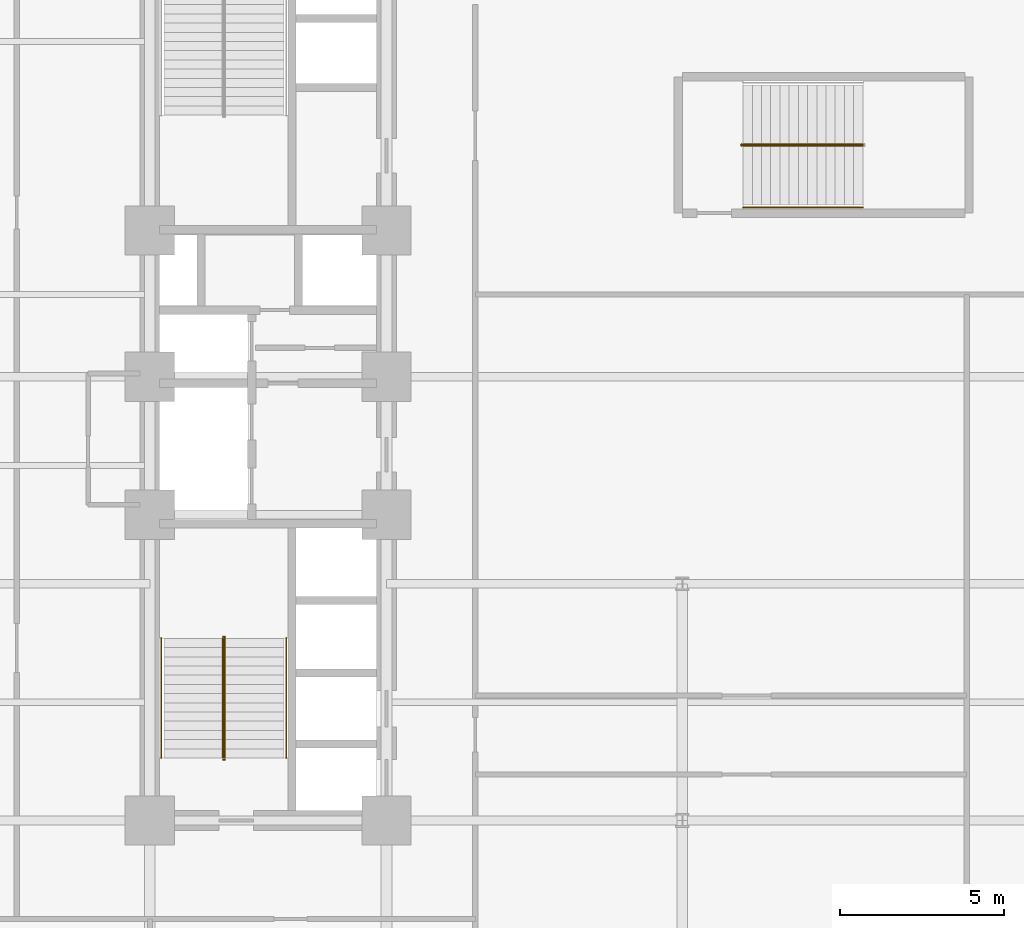
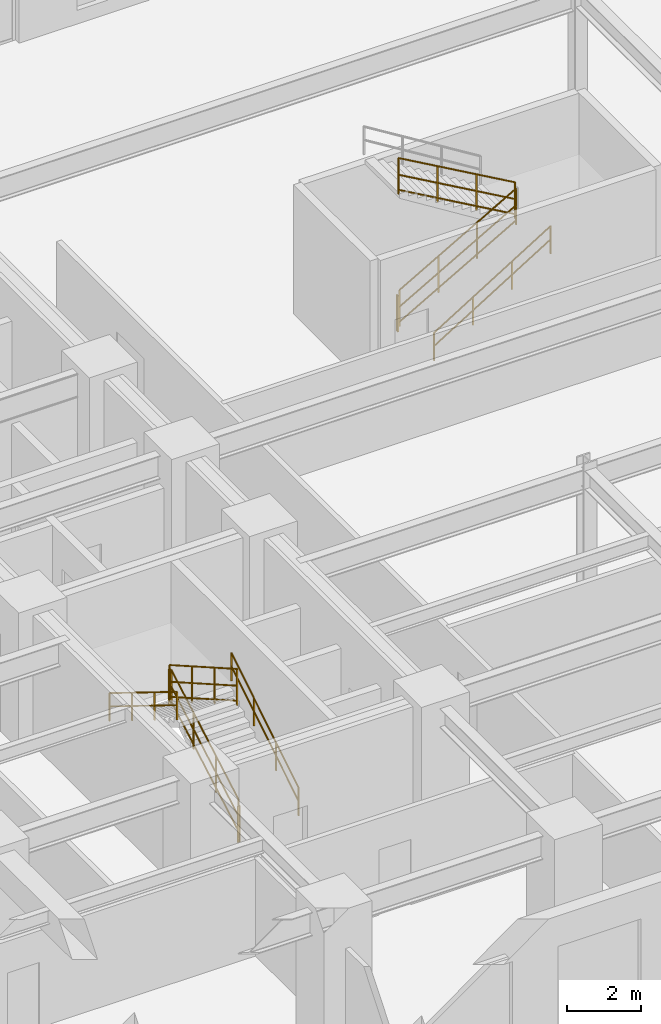
# One storey, part 12 of 15: 10 railings.
"""IFC4 building model written with IfcOpenShell, lengths in metres."""

from ifc_helpers import new_model, entity, si_unit, converted_unit, direction, frame, origin_with_axes, origin_2d_with_axis, place, context, subcontext, project, spatial, rectangle, circle, extrude, material, type_object, element, save


model = new_model("IFC4")

# Units and contexts
model_context = context("Model", 3, precision=1e-05, world=origin_with_axes(), true_north=direction((0.0, 1.0)))
body_context = subcontext(model_context, "Body", "Model", "MODEL_VIEW")
ifc_project = project(units=[si_unit("LENGTHUNIT", "METRE"), si_unit("AREAUNIT", "SQUARE_METRE"), si_unit("VOLUMEUNIT", "CUBIC_METRE"), converted_unit("PLANEANGLEUNIT", "DEGREE", entity("IfcPlaneAngleMeasure", 0.017453292519943295), si_unit("PLANEANGLEUNIT", "RADIAN"), dimensions=[0, 0, 0, 0, 0, 0, 0]), si_unit("MASSUNIT", "GRAM", prefix="KILO"), si_unit("THERMODYNAMICTEMPERATUREUNIT", "KELVIN")], contexts=[model_context])

# Site, building, storey
site_placement = place(None, origin_with_axes())
site = spatial("IfcSite", under=ifc_project, at=site_placement, CompositionType="ELEMENT")
building_placement = place(site_placement, origin_with_axes())
building = spatial("IfcBuilding", under=site, at=building_placement, Name="Varnlund Millrace Tower", CompositionType="ELEMENT")
storey_placement = place(building_placement, frame((0.0, 0.0, 19.8), z_axis=(0.0, 0.0, 1.0), x_axis=(1.0, 0.0, 0.0)))
storey = spatial("IfcBuildingStorey", under=building, at=storey_placement, Name="L04", CompositionType="ELEMENT", Elevation=19.8)

# Railings
ifc_material_1 = material(Name="Painted steel stair well balustrade guard", Category="steel")
railing_type_1 = type_object("IfcRailingType", Name="Type-StairGuard-1150", PredefinedType="GUARDRAIL", material=ifc_material_1)
railing_1_placement = place(storey_placement, frame((0.0, 0.0, -19.8), z_axis=(0.0, 0.0, 1.0), x_axis=(1.0, 0.0, 0.0)))
element("IfcRailing", 1, at=railing_1_placement, inside=storey, type_object=railing_type_1, Name="Type-StairGuard-1150", PredefinedType="GUARDRAIL", context=body_context, shape_type="SweptSolid", body=[
    extrude(circle(Radius=0.024, at=origin_2d_with_axis()), frame((13.675, 12.7, 21.123077), z_axis=(0.0, 0.868559, 0.495585), x_axis=(-1.0, 0.0, 0.0)), (0.0, 0.0, 1.0), 4.190848),
    extrude(circle(Radius=0.024, at=origin_2d_with_axis()), frame((13.675, 12.7, 20.073077), z_axis=(0.0, 0.868559, 0.495585), x_axis=(-1.0, 0.0, 0.0)), (0.0, 0.0, 1.0), 4.190848),
    extrude(circle(Radius=0.024, at=origin_2d_with_axis()), frame((13.675, 12.7, 20.571077), z_axis=(0.0, 0.868559, 0.495585), x_axis=(-1.0, 0.0, 0.0)), (0.0, 0.0, 1.0), 4.190848),
    extrude(rectangle(XDim=0.04, YDim=0.04, at=origin_2d_with_axis()), frame((13.675, 12.7, 19.933077), z_axis=(0.0, 0.0, 1.0), x_axis=(1.0, 0.0, 0.0)), (0.0, 0.0, 1.0), 1.19),
    extrude(rectangle(XDim=0.04, YDim=0.04, at=origin_2d_with_axis()), frame((13.675, 13.913333, 20.625385), z_axis=(0.0, 0.0, 1.0), x_axis=(1.0, 0.0, 0.0)), (0.0, 0.0, 1.0), 1.19),
    extrude(rectangle(XDim=0.04, YDim=0.04, at=origin_2d_with_axis()), frame((13.675, 15.126667, 21.317692), z_axis=(0.0, 0.0, 1.0), x_axis=(1.0, 0.0, 0.0)), (0.0, 0.0, 1.0), 1.19),
    extrude(rectangle(XDim=0.04, YDim=0.04, at=origin_2d_with_axis()), frame((13.675, 16.34, 22.01), z_axis=(0.0, 0.0, 1.0), x_axis=(1.0, 0.0, 0.0)), (0.0, 0.0, 1.0), 1.19),
])
railing_2_placement = place(storey_placement, frame((0.0, 0.0, -19.8), z_axis=(0.0, 0.0, 1.0), x_axis=(1.0, 0.0, 0.0)))
element("IfcRailing", 2, at=railing_2_placement, inside=storey, type_object=railing_type_1, Name="Type-StairGuard-1150", PredefinedType="GUARDRAIL", context=body_context, shape_type="SweptSolid", body=[
    extrude(circle(Radius=0.024, at=origin_2d_with_axis()), frame((13.625, 16.39, 23.2), z_axis=(1.0, 0.0, 0.0), x_axis=(0.0, 1.0, 0.0)), (0.0, 0.0, 1.0), 0.05),
    extrude(circle(Radius=0.024, at=origin_2d_with_axis()), frame((13.625, 16.39, 22.15), z_axis=(1.0, 0.0, 0.0), x_axis=(0.0, 1.0, 0.0)), (0.0, 0.0, 1.0), 0.05),
    extrude(circle(Radius=0.024, at=origin_2d_with_axis()), frame((13.625, 16.39, 22.648), z_axis=(1.0, 0.0, 0.0), x_axis=(0.0, 1.0, 0.0)), (0.0, 0.0, 1.0), 0.05),
    extrude(rectangle(XDim=0.04, YDim=0.04, at=origin_2d_with_axis()), frame((13.625, 16.39, 22.01), z_axis=(0.0, 0.0, 1.0), x_axis=(1.0, 0.0, 0.0)), (0.0, 0.0, 1.0), 1.19),
    extrude(rectangle(XDim=0.04, YDim=0.04, at=origin_2d_with_axis()), frame((13.675, 16.39, 22.01), z_axis=(0.0, 0.0, 1.0), x_axis=(1.0, 0.0, 0.0)), (0.0, 0.0, 1.0), 1.19),
])
railing_3_placement = place(storey_placement, frame((0.0, 0.0, -19.8), z_axis=(0.0, 0.0, 1.0), x_axis=(1.0, 0.0, 0.0)))
element("IfcRailing", 3, at=railing_3_placement, inside=storey, type_object=railing_type_1, Name="Type-StairGuard-1150", PredefinedType="GUARDRAIL", context=body_context, shape_type="SweptSolid", body=[
    extrude(circle(Radius=0.024, at=origin_2d_with_axis()), frame((13.625, 16.34, 23.373077), z_axis=(0.0, -0.868559, 0.495585), x_axis=(1.0, 0.0, 0.0)), (0.0, 0.0, 1.0), 4.190848),
    extrude(circle(Radius=0.024, at=origin_2d_with_axis()), frame((13.625, 16.34, 22.323077), z_axis=(0.0, -0.868559, 0.495585), x_axis=(1.0, 0.0, 0.0)), (0.0, 0.0, 1.0), 4.190848),
    extrude(circle(Radius=0.024, at=origin_2d_with_axis()), frame((13.625, 16.34, 22.821077), z_axis=(0.0, -0.868559, 0.495585), x_axis=(1.0, 0.0, 0.0)), (0.0, 0.0, 1.0), 4.190848),
    extrude(rectangle(XDim=0.04, YDim=0.04, at=origin_2d_with_axis()), frame((13.625, 16.34, 22.183077), z_axis=(0.0, 0.0, 1.0), x_axis=(1.0, 0.0, 0.0)), (0.0, 0.0, 1.0), 1.19),
    extrude(rectangle(XDim=0.04, YDim=0.04, at=origin_2d_with_axis()), frame((13.625, 15.126667, 22.875385), z_axis=(0.0, 0.0, 1.0), x_axis=(1.0, 0.0, 0.0)), (0.0, 0.0, 1.0), 1.19),
    extrude(rectangle(XDim=0.04, YDim=0.04, at=origin_2d_with_axis()), frame((13.625, 13.913333, 23.567692), z_axis=(0.0, 0.0, 1.0), x_axis=(1.0, 0.0, 0.0)), (0.0, 0.0, 1.0), 1.19),
    extrude(rectangle(XDim=0.04, YDim=0.04, at=origin_2d_with_axis()), frame((13.625, 12.7, 24.26), z_axis=(0.0, 0.0, 1.0), x_axis=(1.0, 0.0, 0.0)), (0.0, 0.0, 1.0), 1.19),
])
railing_4_placement = place(storey_placement, frame((0.0, 0.0, -19.8), z_axis=(0.0, 0.0, 1.0), x_axis=(1.0, 0.0, 0.0)))
element("IfcRailing", 4, at=railing_4_placement, inside=storey, type_object=railing_type_1, Name="Type-StairGuard-1150", PredefinedType="GUARDRAIL", context=body_context, shape_type="SweptSolid", body=[
    extrude(circle(Radius=0.024, at=origin_2d_with_axis()), frame((13.625, 12.65, 20.95), z_axis=(1.0, 0.0, 0.0), x_axis=(0.0, 1.0, 0.0)), (0.0, 0.0, 1.0), 0.05),
    extrude(circle(Radius=0.024, at=origin_2d_with_axis()), frame((13.625, 12.65, 19.9), z_axis=(1.0, 0.0, 0.0), x_axis=(0.0, 1.0, 0.0)), (0.0, 0.0, 1.0), 0.05),
    extrude(circle(Radius=0.024, at=origin_2d_with_axis()), frame((13.625, 12.65, 20.398), z_axis=(1.0, 0.0, 0.0), x_axis=(0.0, 1.0, 0.0)), (0.0, 0.0, 1.0), 0.05),
    extrude(rectangle(XDim=0.04, YDim=0.04, at=origin_2d_with_axis()), frame((13.625, 12.65, 19.76), z_axis=(0.0, 0.0, 1.0), x_axis=(1.0, 0.0, 0.0)), (0.0, 0.0, 1.0), 1.19),
    extrude(rectangle(XDim=0.04, YDim=0.04, at=origin_2d_with_axis()), frame((13.675, 12.65, 19.76), z_axis=(0.0, 0.0, 1.0), x_axis=(1.0, 0.0, 0.0)), (0.0, 0.0, 1.0), 1.19),
])
railing_5_placement = place(storey_placement, frame((0.0, 0.0, -19.8), z_axis=(0.0, 0.0, 1.0), x_axis=(1.0, 0.0, 0.0)))
element("IfcRailing", 5, at=railing_5_placement, inside=storey, type_object=railing_type_1, Name="Type-StairGuard-1150", PredefinedType="GUARDRAIL", context=body_context, shape_type="SweptSolid", body=[
    extrude(circle(Radius=0.024, at=origin_2d_with_axis()), frame((29.45, 31.325, 21.123077), z_axis=(0.868559, 0.0, 0.495585), x_axis=(0.0, 1.0, 0.0)), (0.0, 0.0, 1.0), 4.190848),
    extrude(circle(Radius=0.024, at=origin_2d_with_axis()), frame((29.45, 31.325, 20.073077), z_axis=(0.868559, 0.0, 0.495585), x_axis=(0.0, 1.0, 0.0)), (0.0, 0.0, 1.0), 4.190848),
    extrude(circle(Radius=0.024, at=origin_2d_with_axis()), frame((29.45, 31.325, 20.571077), z_axis=(0.868559, 0.0, 0.495585), x_axis=(0.0, 1.0, 0.0)), (0.0, 0.0, 1.0), 4.190848),
    extrude(rectangle(XDim=0.04, YDim=0.04, at=origin_2d_with_axis()), frame((29.45, 31.325, 19.933077), z_axis=(0.0, 0.0, 1.0), x_axis=(1.0, 0.0, 0.0)), (0.0, 0.0, 1.0), 1.19),
    extrude(rectangle(XDim=0.04, YDim=0.04, at=origin_2d_with_axis()), frame((30.663333, 31.325, 20.625385), z_axis=(0.0, 0.0, 1.0), x_axis=(1.0, 0.0, 0.0)), (0.0, 0.0, 1.0), 1.19),
    extrude(rectangle(XDim=0.04, YDim=0.04, at=origin_2d_with_axis()), frame((31.876667, 31.325, 21.317692), z_axis=(0.0, 0.0, 1.0), x_axis=(1.0, 0.0, 0.0)), (0.0, 0.0, 1.0), 1.19),
    extrude(rectangle(XDim=0.04, YDim=0.04, at=origin_2d_with_axis()), frame((33.09, 31.325, 22.01), z_axis=(0.0, 0.0, 1.0), x_axis=(1.0, 0.0, 0.0)), (0.0, 0.0, 1.0), 1.19),
])
railing_6_placement = place(storey_placement, frame((0.0, 0.0, -19.8), z_axis=(0.0, 0.0, 1.0), x_axis=(1.0, 0.0, 0.0)))
element("IfcRailing", 6, at=railing_6_placement, inside=storey, type_object=railing_type_1, Name="Type-StairGuard-1150", PredefinedType="GUARDRAIL", context=body_context, shape_type="SweptSolid", body=[
    extrude(circle(Radius=0.024, at=origin_2d_with_axis()), frame((33.09, 31.375, 23.373077), z_axis=(-0.868559, 0.0, 0.495585), x_axis=(0.0, -1.0, 0.0)), (0.0, 0.0, 1.0), 4.190848),
    extrude(circle(Radius=0.024, at=origin_2d_with_axis()), frame((33.09, 31.375, 22.323077), z_axis=(-0.868559, 0.0, 0.495585), x_axis=(0.0, -1.0, 0.0)), (0.0, 0.0, 1.0), 4.190848),
    extrude(circle(Radius=0.024, at=origin_2d_with_axis()), frame((33.09, 31.375, 22.821077), z_axis=(-0.868559, 0.0, 0.495585), x_axis=(0.0, -1.0, 0.0)), (0.0, 0.0, 1.0), 4.190848),
    extrude(rectangle(XDim=0.04, YDim=0.04, at=origin_2d_with_axis()), frame((33.09, 31.375, 22.183077), z_axis=(0.0, 0.0, 1.0), x_axis=(1.0, 0.0, 0.0)), (0.0, 0.0, 1.0), 1.19),
    extrude(rectangle(XDim=0.04, YDim=0.04, at=origin_2d_with_axis()), frame((31.876667, 31.375, 22.875385), z_axis=(0.0, 0.0, 1.0), x_axis=(1.0, 0.0, 0.0)), (0.0, 0.0, 1.0), 1.19),
    extrude(rectangle(XDim=0.04, YDim=0.04, at=origin_2d_with_axis()), frame((30.663333, 31.375, 23.567692), z_axis=(0.0, 0.0, 1.0), x_axis=(1.0, 0.0, 0.0)), (0.0, 0.0, 1.0), 1.19),
    extrude(rectangle(XDim=0.04, YDim=0.04, at=origin_2d_with_axis()), frame((29.45, 31.375, 24.26), z_axis=(0.0, 0.0, 1.0), x_axis=(1.0, 0.0, 0.0)), (0.0, 0.0, 1.0), 1.19),
])
railing_7_placement = place(storey_placement, frame((0.0, 0.0, -19.8), z_axis=(0.0, 0.0, 1.0), x_axis=(1.0, 0.0, 0.0)))
element("IfcRailing", 7, at=railing_7_placement, inside=storey, type_object=railing_type_1, Name="Type-StairGuard-1150", PredefinedType="GUARDRAIL", context=body_context, shape_type="SweptSolid", body=[
    extrude(circle(Radius=0.024, at=origin_2d_with_axis()), frame((29.4, 31.375, 20.95), z_axis=(0.0, -1.0, 0.0), x_axis=(1.0, 0.0, 0.0)), (0.0, 0.0, 1.0), 0.05),
    extrude(circle(Radius=0.024, at=origin_2d_with_axis()), frame((29.4, 31.375, 19.9), z_axis=(0.0, -1.0, 0.0), x_axis=(1.0, 0.0, 0.0)), (0.0, 0.0, 1.0), 0.05),
    extrude(circle(Radius=0.024, at=origin_2d_with_axis()), frame((29.4, 31.375, 20.398), z_axis=(0.0, -1.0, 0.0), x_axis=(1.0, 0.0, 0.0)), (0.0, 0.0, 1.0), 0.05),
    extrude(rectangle(XDim=0.04, YDim=0.04, at=origin_2d_with_axis()), frame((29.4, 31.375, 19.76), z_axis=(0.0, 0.0, 1.0), x_axis=(1.0, 0.0, 0.0)), (0.0, 0.0, 1.0), 1.19),
    extrude(rectangle(XDim=0.04, YDim=0.04, at=origin_2d_with_axis()), frame((29.4, 31.325, 19.76), z_axis=(0.0, 0.0, 1.0), x_axis=(1.0, 0.0, 0.0)), (0.0, 0.0, 1.0), 1.19),
])
ifc_material_2 = material(Name="Brushed architectural bronze stair handrail", Category="aluminium")
railing_type_2 = type_object("IfcRailingType", Name="Type-StairHandrail-900", PredefinedType="HANDRAIL", material=ifc_material_2)
railing_8_placement = place(storey_placement, frame((0.0, 0.0, -19.8), z_axis=(0.0, 0.0, 1.0), x_axis=(1.0, 0.0, 0.0)))
element("IfcRailing", 8, at=railing_8_placement, inside=storey, type_object=railing_type_2, Name="Type-StairHandrail-900", PredefinedType="HANDRAIL", context=body_context, shape_type="SweptSolid", body=[
    extrude(circle(Radius=0.024, at=origin_2d_with_axis()), frame((15.55, 12.7, 20.852662), z_axis=(0.0, 0.850614, 0.525791), x_axis=(-1.0, 0.0, 0.0)), (0.0, 0.0, 1.0), 4.279264),
    extrude(circle(Radius=0.024, at=origin_2d_with_axis()), frame((15.55, 12.7, 20.41287), z_axis=(0.0, 0.850614, 0.525791), x_axis=(-1.0, 0.0, 0.0)), (0.0, 0.0, 1.0), 4.279264),
    extrude(rectangle(XDim=0.04, YDim=0.04, at=origin_2d_with_axis()), frame((15.55, 12.7, 19.933077), z_axis=(0.0, 0.0, 1.0), x_axis=(1.0, 0.0, 0.0)), (0.0, 0.0, 1.0), 0.919585),
    extrude(rectangle(XDim=0.04, YDim=0.04, at=origin_2d_with_axis()), frame((15.55, 13.913333, 20.683077), z_axis=(0.0, 0.0, 1.0), x_axis=(1.0, 0.0, 0.0)), (0.0, 0.0, 1.0), 0.919585),
    extrude(rectangle(XDim=0.04, YDim=0.04, at=origin_2d_with_axis()), frame((15.55, 15.126667, 21.433077), z_axis=(0.0, 0.0, 1.0), x_axis=(1.0, 0.0, 0.0)), (0.0, 0.0, 1.0), 0.919585),
    extrude(rectangle(XDim=0.04, YDim=0.04, at=origin_2d_with_axis()), frame((15.55, 16.34, 22.183077), z_axis=(0.0, 0.0, 1.0), x_axis=(1.0, 0.0, 0.0)), (0.0, 0.0, 1.0), 0.919585),
])
railing_9_placement = place(storey_placement, frame((0.0, 0.0, -19.8), z_axis=(0.0, 0.0, 1.0), x_axis=(1.0, 0.0, 0.0)))
element("IfcRailing", 9, at=railing_9_placement, inside=storey, type_object=railing_type_2, Name="Type-StairHandrail-900", PredefinedType="HANDRAIL", context=body_context, shape_type="SweptSolid", body=[
    extrude(circle(Radius=0.024, at=origin_2d_with_axis()), frame((11.75, 16.34, 23.102662), z_axis=(0.0, -0.850614, 0.525791), x_axis=(1.0, 0.0, 0.0)), (0.0, 0.0, 1.0), 4.279264),
    extrude(circle(Radius=0.024, at=origin_2d_with_axis()), frame((11.75, 16.34, 22.66287), z_axis=(0.0, -0.850614, 0.525791), x_axis=(1.0, 0.0, 0.0)), (0.0, 0.0, 1.0), 4.279264),
    extrude(rectangle(XDim=0.04, YDim=0.04, at=origin_2d_with_axis()), frame((11.75, 16.34, 22.183077), z_axis=(0.0, 0.0, 1.0), x_axis=(1.0, 0.0, 0.0)), (0.0, 0.0, 1.0), 0.919585),
    extrude(rectangle(XDim=0.04, YDim=0.04, at=origin_2d_with_axis()), frame((11.75, 15.126667, 22.933077), z_axis=(0.0, 0.0, 1.0), x_axis=(1.0, 0.0, 0.0)), (0.0, 0.0, 1.0), 0.919585),
    extrude(rectangle(XDim=0.04, YDim=0.04, at=origin_2d_with_axis()), frame((11.75, 13.913333, 23.683077), z_axis=(0.0, 0.0, 1.0), x_axis=(1.0, 0.0, 0.0)), (0.0, 0.0, 1.0), 0.919585),
    extrude(rectangle(XDim=0.04, YDim=0.04, at=origin_2d_with_axis()), frame((11.75, 12.7, 24.433077), z_axis=(0.0, 0.0, 1.0), x_axis=(1.0, 0.0, 0.0)), (0.0, 0.0, 1.0), 0.919585),
])
railing_10_placement = place(storey_placement, frame((0.0, 0.0, -19.8), z_axis=(0.0, 0.0, 1.0), x_axis=(1.0, 0.0, 0.0)))
element("IfcRailing", 10, at=railing_10_placement, inside=storey, type_object=railing_type_2, Name="Type-StairHandrail-900", PredefinedType="HANDRAIL", context=body_context, shape_type="SweptSolid", body=[
    extrude(circle(Radius=0.024, at=origin_2d_with_axis()), frame((29.45, 29.45, 20.852662), z_axis=(0.850614, 0.0, 0.525791), x_axis=(0.0, 1.0, 0.0)), (0.0, 0.0, 1.0), 4.279264),
    extrude(circle(Radius=0.024, at=origin_2d_with_axis()), frame((29.45, 29.45, 20.41287), z_axis=(0.850614, 0.0, 0.525791), x_axis=(0.0, 1.0, 0.0)), (0.0, 0.0, 1.0), 4.279264),
    extrude(rectangle(XDim=0.04, YDim=0.04, at=origin_2d_with_axis()), frame((29.45, 29.45, 19.933077), z_axis=(0.0, 0.0, 1.0), x_axis=(1.0, 0.0, 0.0)), (0.0, 0.0, 1.0), 0.919585),
    extrude(rectangle(XDim=0.04, YDim=0.04, at=origin_2d_with_axis()), frame((30.663333, 29.45, 20.683077), z_axis=(0.0, 0.0, 1.0), x_axis=(1.0, 0.0, 0.0)), (0.0, 0.0, 1.0), 0.919585),
    extrude(rectangle(XDim=0.04, YDim=0.04, at=origin_2d_with_axis()), frame((31.876667, 29.45, 21.433077), z_axis=(0.0, 0.0, 1.0), x_axis=(1.0, 0.0, 0.0)), (0.0, 0.0, 1.0), 0.919585),
    extrude(rectangle(XDim=0.04, YDim=0.04, at=origin_2d_with_axis()), frame((33.09, 29.45, 22.183077), z_axis=(0.0, 0.0, 1.0), x_axis=(1.0, 0.0, 0.0)), (0.0, 0.0, 1.0), 0.919585),
])

save(model, "model.ifc")
